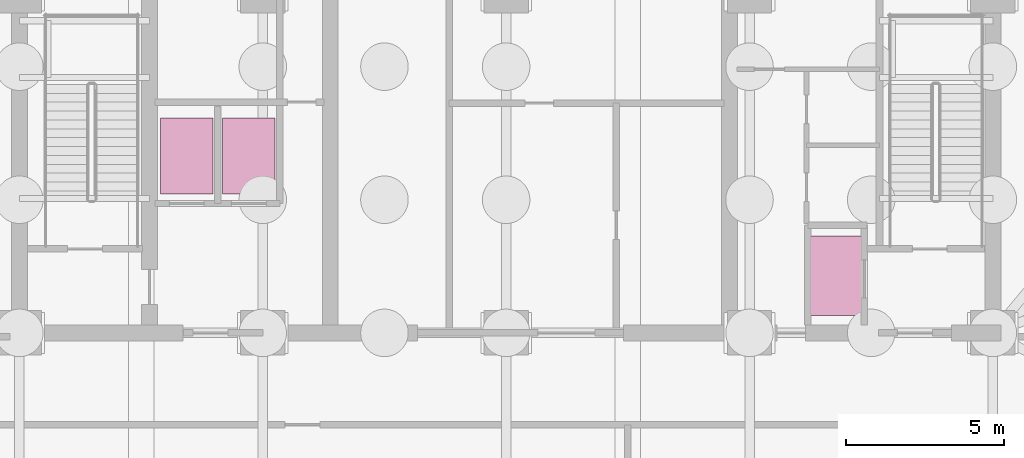
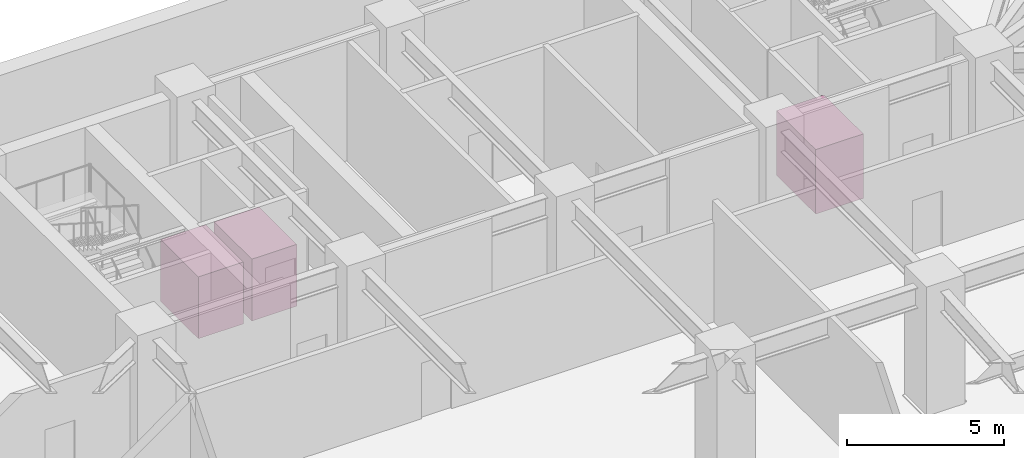
# One storey, part 9 of 9: 3 transport elements.
"""IFC4 building model written with IfcOpenShell, lengths in metres."""

from ifc_helpers import new_model, si_unit, direction, frame, origin, origin_2d, place, context, subcontext, project, spatial, rectangle, extrude, material, type_object, element, save


model = new_model("IFC4")

# Units and contexts
model_context = context("Model", 3, precision=1e-05, world=origin(), true_north=direction((0.0, 1.0)))
body_context = subcontext(model_context, "Body", "Model", "MODEL_VIEW")
ifc_project = project(units=[si_unit("LENGTHUNIT", "METRE"), si_unit("AREAUNIT", "SQUARE_METRE"), si_unit("VOLUMEUNIT", "CUBIC_METRE"), si_unit("PLANEANGLEUNIT", "RADIAN"), si_unit("MASSUNIT", "GRAM", prefix="KILO")], contexts=[model_context])

# Site, building, storey
site_placement = place(None, origin())
site = spatial("IfcSite", under=ifc_project, at=site_placement, CompositionType="ELEMENT")
building_placement = place(site_placement, origin())
building = spatial("IfcBuilding", under=site, at=building_placement, Name="Yelkora Congress Tower", CompositionType="ELEMENT")
storey_placement = place(building_placement, frame((0.0, 0.0, -10.0)))
storey = spatial("IfcBuildingStorey", under=building, at=storey_placement, Name="B02", CompositionType="ELEMENT", Elevation=-10.0)

# Transport elements
ifc_material = material(Name="Stainless steel elevator cab assembly", Category="steel")
transport_element_type_1 = type_object("IfcTransportElementType", Name="ELV-LF-FF1", PredefinedType="ELEVATOR", material=ifc_material)
transport_element_1_placement = place(storey_placement, frame((28.320068359375, 40.97509765625, 0.0), z_axis=(0.0, 0.0, 1.0), x_axis=(1.0, 0.0, 0.0)))
element("IfcTransportElement", 1, at=transport_element_1_placement, inside=storey, type_object=transport_element_type_1, Name="Elevator Car LF-FF1", PredefinedType="ELEVATOR", context=body_context, shape_type="SweptSolid", body=[
    extrude(rectangle(XDim=1.64990234375, YDim=2.39990234375, at=origin_2d()), origin(), (0.0, 0.0, 1.0), 2.39990234375),
])
transport_element_type_2 = type_object("IfcTransportElementType", Name="ELV-LF-FF2", PredefinedType="ELEVATOR", material=ifc_material)
transport_element_2_placement = place(storey_placement, frame((30.280029296875, 40.97509765625, 0.0), z_axis=(0.0, 0.0, 1.0), x_axis=(1.0, 0.0, 0.0)))
element("IfcTransportElement", 2, at=transport_element_2_placement, inside=storey, type_object=transport_element_type_2, Name="Elevator Car LF-FF2", PredefinedType="ELEVATOR", context=body_context, shape_type="SweptSolid", body=[
    extrude(rectangle(XDim=1.64990234375, YDim=2.39990234375, at=origin_2d()), origin(), (0.0, 0.0, 1.0), 2.39990234375),
])
transport_element_type_3 = type_object("IfcTransportElementType", Name="ELV-LF-SV1", PredefinedType="ELEVATOR", material=ifc_material)
transport_element_3_placement = place(storey_placement, frame((48.800048828125, 37.199951171875, 0.0), z_axis=(0.0, 0.0, 1.0), x_axis=(1.0, 0.0, 0.0)))
element("IfcTransportElement", 3, at=transport_element_3_placement, inside=storey, type_object=transport_element_type_3, Name="Elevator Car LF-SV1", PredefinedType="ELEVATOR", context=body_context, shape_type="SweptSolid", body=[
    extrude(rectangle(XDim=1.75, YDim=2.5, at=origin_2d()), origin(), (0.0, 0.0, 1.0), 2.5),
])

save(model, "model.ifc")
